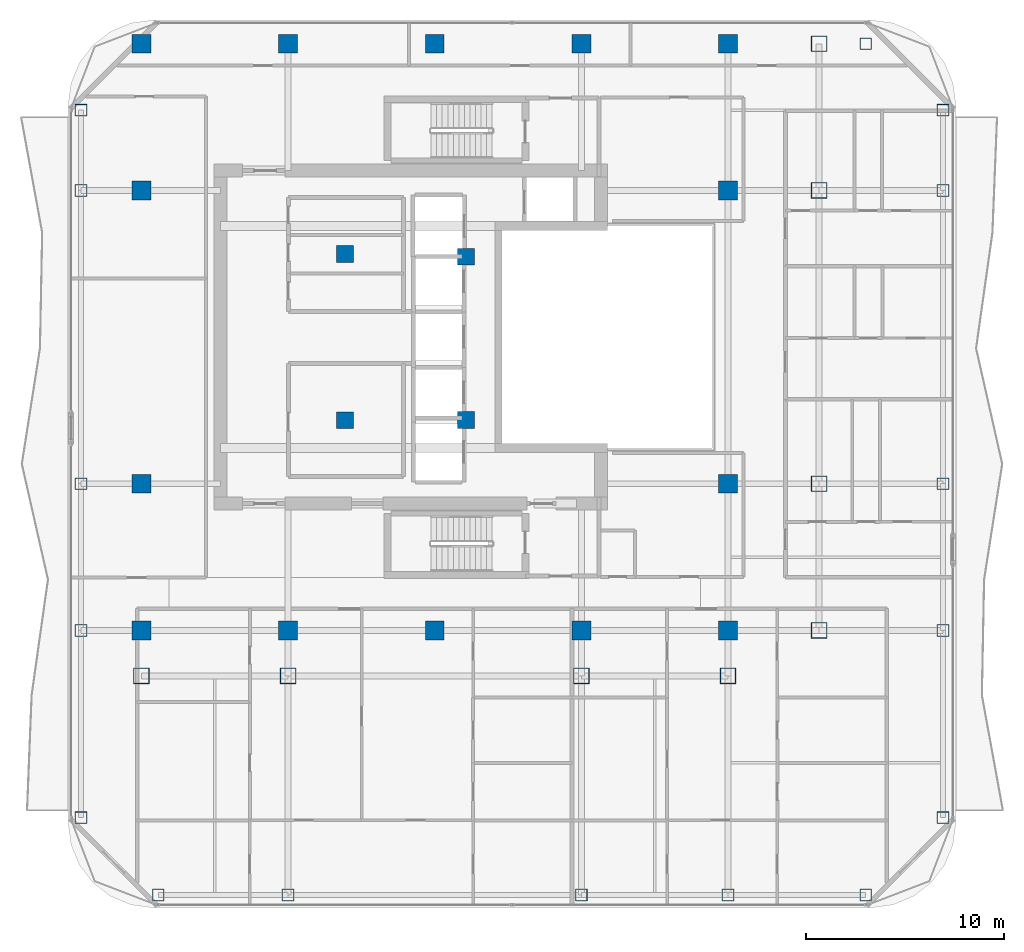
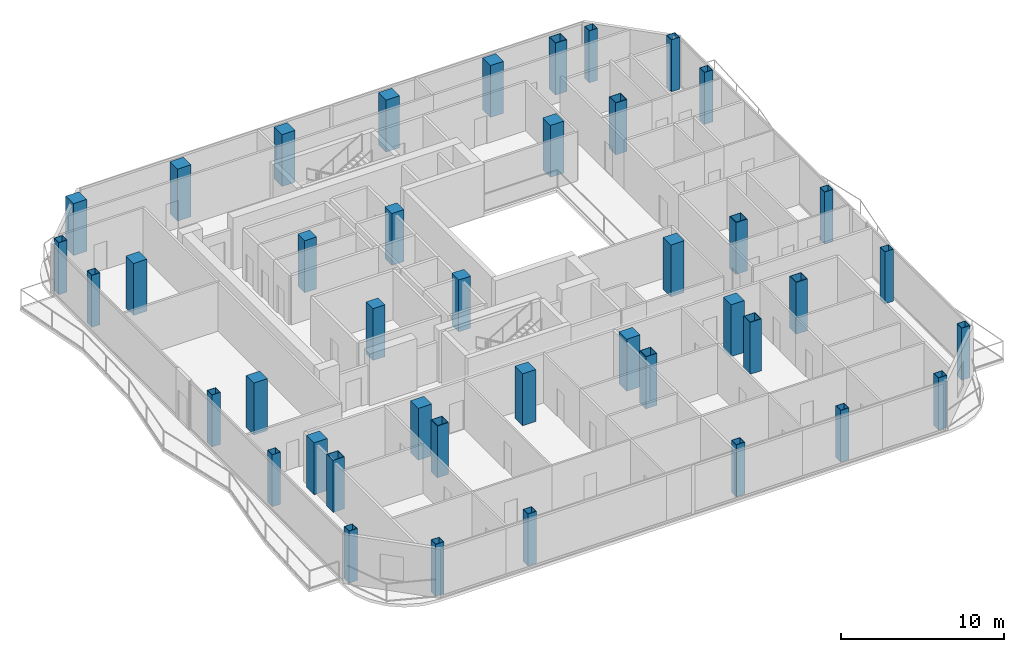
# One storey, part 1 of 27: 42 columns.
"""IFC4 building model written with IfcOpenShell, lengths in metres."""

from ifc_helpers import new_model, si_unit, direction, frame, origin, origin_2d, place, context, subcontext, project, spatial, rectangle, hollow_rectangle, extrude, material, material_profile, profile_set, type_object, element, save


model = new_model("IFC4")

# Units and contexts
model_context = context("Model", 3, precision=1e-05, world=origin(), true_north=direction((0.0, 1.0)))
body_context = subcontext(model_context, "Body", "Model", "MODEL_VIEW")
ifc_project = project(units=[si_unit("LENGTHUNIT", "METRE"), si_unit("AREAUNIT", "SQUARE_METRE"), si_unit("VOLUMEUNIT", "CUBIC_METRE"), si_unit("PLANEANGLEUNIT", "RADIAN"), si_unit("MASSUNIT", "GRAM", prefix="KILO")], contexts=[model_context])

# Site, building, storey
site_placement = place(None, origin())
site = spatial("IfcSite", under=ifc_project, at=site_placement, CompositionType="ELEMENT")
building_placement = place(site_placement, origin())
building = spatial("IfcBuilding", under=site, at=building_placement, Name="Khorvyn Point Tower", CompositionType="ELEMENT")
storey_placement = place(building_placement, frame((0.0, 0.0, 246.89990234375)))
storey = spatial("IfcBuildingStorey", under=building, at=storey_placement, Name="L60", CompositionType="ELEMENT", Elevation=246.89990234375)

# Columns
ifc_material_1 = material(Name="Concrete C40/50", Category="concrete")
ifc_material_profile_1 = material_profile(ifc_material_1, rectangle(XDim=0.85009765625, YDim=0.85009765625, at=origin_2d()))
ifc_profile_set_1 = profile_set([ifc_material_profile_1], Name="Concrete C40/50 RC850x850")
column_type_1 = type_object("IfcColumnType", Name="Concrete C40/50 Column RC850x850", PredefinedType="COLUMN", material=ifc_profile_set_1)
for number, where, z_axis, x_axis, name in (
    (1, (-4.52001953125, -4.199951171875, 0.0), (0.0, 0.0, 1.0), (1.0, 0.0, 0.0), "L60 Crown Core Spine Column 1"),
    (2, (1.580078125, -4.179931640625, 0.0), (0.0, 0.0, 1.0), (1.0, 0.0, 0.0), "L60 Crown Core Spine Column 2"),
    (3, (1.580078125, 4.050048828125, 0.0), (0.0, 0.0, 1.0), (1.0, 0.0, 0.0), "L60 Crown Core Spine Column 3"),
    (4, (-4.52001953125, 4.199951171875, 0.0), (0.0, 0.0, 1.0), (1.0, 0.0, 0.0), "L60 Crown Core Spine Column 4"),
):
    element("IfcColumn", number, at=place(storey_placement, frame(where, z_axis=z_axis, x_axis=x_axis)), inside=storey, type_object=column_type_1, Name=name, PredefinedType="COLUMN", context=body_context, shape_type="SweptSolid", body=[
        extrude(rectangle(XDim=0.85009765625, YDim=0.85009765625, at=origin_2d()), origin(), (0.0, 0.0, 1.0), 3.900146484375),
    ])
ifc_material_profile_2 = material_profile(ifc_material_1, rectangle(XDim=0.949951171875, YDim=0.949951171875, at=origin_2d()))
ifc_profile_set_2 = profile_set([ifc_material_profile_2], Name="Concrete C40/50 RC950x950")
column_type_2 = type_object("IfcColumnType", Name="Concrete C40/50 Column RC950x950", PredefinedType="COLUMN", material=ifc_profile_set_2)
for number, where, z_axis, x_axis, name in (
    (5, (-14.800048828125, -14.800048828125, 0.0), (0.0, 0.0, 1.0), (1.0, 0.0, 0.0), "L60 Mega-Column MC-01"),
    (6, (-7.39990234375, -14.800048828125, 0.0), (0.0, 0.0, 1.0), (1.0, 0.0, 0.0), "L60 Mega-Column MC-02"),
    (7, (0.0, -14.800048828125, 0.0), (0.0, 0.0, 1.0), (1.0, 0.0, 0.0), "L60 Mega-Column MC-03"),
    (8, (7.39990234375, -14.800048828125, 0.0), (0.0, 0.0, 1.0), (1.0, 0.0, 0.0), "L60 Mega-Column MC-04"),
    (9, (14.800048828125, -14.800048828125, 0.0), (0.0, 0.0, 1.0), (1.0, 0.0, 0.0), "L60 Mega-Column MC-05"),
    (10, (-14.800048828125, 14.800048828125, 0.0), (0.0, 0.0, 1.0), (1.0, 0.0, 0.0), "L60 Mega-Column MC-06"),
    (11, (-7.39990234375, 14.800048828125, 0.0), (0.0, 0.0, 1.0), (1.0, 0.0, 0.0), "L60 Mega-Column MC-07"),
    (12, (0.0, 14.800048828125, 0.0), (0.0, 0.0, 1.0), (1.0, 0.0, 0.0), "L60 Mega-Column MC-08"),
    (13, (7.39990234375, 14.800048828125, 0.0), (0.0, 0.0, 1.0), (1.0, 0.0, 0.0), "L60 Mega-Column MC-09"),
    (14, (14.800048828125, 14.800048828125, 0.0), (0.0, 0.0, 1.0), (1.0, 0.0, 0.0), "L60 Mega-Column MC-10"),
    (15, (-14.800048828125, -7.39990234375, 0.0), (0.0, 0.0, 1.0), (1.0, 0.0, 0.0), "L60 Mega-Column MC-11"),
    (16, (-14.800048828125, 7.39990234375, 0.0), (0.0, 0.0, 1.0), (1.0, 0.0, 0.0), "L60 Mega-Column MC-12"),
    (17, (14.800048828125, -7.39990234375, 0.0), (0.0, 0.0, 1.0), (1.0, 0.0, 0.0), "L60 Mega-Column MC-13"),
    (18, (14.800048828125, 7.39990234375, 0.0), (0.0, 0.0, 1.0), (1.0, 0.0, 0.0), "L60 Mega-Column MC-14"),
):
    element("IfcColumn", number, at=place(storey_placement, frame(where, z_axis=z_axis, x_axis=x_axis)), inside=storey, type_object=column_type_2, Name=name, PredefinedType="COLUMN", context=body_context, shape_type="SweptSolid", body=[
        extrude(rectangle(XDim=0.949951171875, YDim=0.949951171875, at=origin_2d()), origin(), (0.0, 0.0, 1.0), 3.900146484375),
    ])
ifc_material_2 = material(Name="Steel S450", Category="steel")
ifc_material_profile_3 = material_profile(ifc_material_2, hollow_rectangle(XDim=0.60009765625, YDim=0.60009765625, WallThickness=0.028076171875, at=origin_2d()))
ifc_profile_set_3 = profile_set([ifc_material_profile_3], Name="Steel S450 BOX600x600x28")
column_type_3 = type_object("IfcColumnType", Name="Steel S450 Structural Column BOX600x600x28", PredefinedType="COLUMN", material=ifc_profile_set_3)
for number, where, z_axis, x_axis, name in (
    (19, (-13.949951171875, -28.14990234375, 0.0), (0.0, 0.0, 1.0), (1.0, 0.0, 0.0), "L60 Perimeter Tube Column TC-01"),
    (20, (21.75, -28.14990234375, 0.0), (0.0, 0.0, 1.0), (1.0, 0.0, 0.0), "L60 Perimeter Tube Column TC-02"),
    (21, (21.75, 14.800048828125, 0.0), (0.0, 0.0, 1.0), (1.0, 0.0, 0.0), "L60 Perimeter Tube Column TC-03"),
    (22, (-17.85009765625, -24.25, 0.0), (0.0, 0.0, 1.0), (1.0, 0.0, 0.0), "L60 Perimeter Tube Column TC-04"),
    (23, (-17.85009765625, 11.449951171875, 0.0), (0.0, 0.0, 1.0), (1.0, 0.0, 0.0), "L60 Perimeter Tube Column TC-05"),
    (24, (25.64990234375, -24.25, 0.0), (0.0, 0.0, 1.0), (1.0, 0.0, 0.0), "L60 Perimeter Tube Column TC-06"),
    (25, (25.64990234375, 11.449951171875, 0.0), (0.0, 0.0, 1.0), (1.0, 0.0, 0.0), "L60 Perimeter Tube Column TC-07"),
    (26, (-7.39990234375, -28.14990234375, 0.0), (0.0, 0.0, 1.0), (1.0, 0.0, 0.0), "L60 Perimeter Tube Column TC-08"),
    (27, (7.39990234375, -28.14990234375, 0.0), (0.0, 0.0, 1.0), (1.0, 0.0, 0.0), "L60 Perimeter Tube Column TC-09"),
    (28, (14.800048828125, -28.14990234375, 0.0), (0.0, 0.0, 1.0), (1.0, 0.0, 0.0), "L60 Perimeter Tube Column TC-10"),
    (29, (-17.85009765625, -14.800048828125, 0.0), (0.0, 0.0, 1.0), (1.0, 0.0, 0.0), "L60 Perimeter Tube Column TC-11"),
    (30, (25.64990234375, -14.800048828125, 0.0), (0.0, 0.0, 1.0), (1.0, 0.0, 0.0), "L60 Perimeter Tube Column TC-12"),
    (31, (-17.85009765625, -7.39990234375, 0.0), (0.0, 0.0, 1.0), (1.0, 0.0, 0.0), "L60 Perimeter Tube Column TC-13"),
    (32, (25.64990234375, -7.39990234375, 0.0), (0.0, 0.0, 1.0), (1.0, 0.0, 0.0), "L60 Perimeter Tube Column TC-14"),
    (33, (-17.85009765625, 7.39990234375, 0.0), (0.0, 0.0, 1.0), (1.0, 0.0, 0.0), "L60 Perimeter Tube Column TC-15"),
    (34, (25.64990234375, 7.39990234375, 0.0), (0.0, 0.0, 1.0), (1.0, 0.0, 0.0), "L60 Perimeter Tube Column TC-16"),
):
    element("IfcColumn", number, at=place(storey_placement, frame(where, z_axis=z_axis, x_axis=x_axis)), inside=storey, type_object=column_type_3, Name=name, PredefinedType="COLUMN", context=body_context, shape_type="SweptSolid", body=[
        extrude(hollow_rectangle(XDim=0.60009765625, YDim=0.60009765625, WallThickness=0.028076171875, at=origin_2d()), origin(), (0.0, 0.0, 1.0), 3.900146484375),
    ])
ifc_material_profile_4 = material_profile(ifc_material_2, hollow_rectangle(XDim=0.800048828125, YDim=0.800048828125, WallThickness=0.035888671875, at=origin_2d()))
ifc_profile_set_4 = profile_set([ifc_material_profile_4], Name="Steel S450 BOX800x800x36")
column_type_4 = type_object("IfcColumnType", Name="Steel S450 Structural Column BOX800x800x36", PredefinedType="COLUMN", material=ifc_profile_set_4)
for number, where, z_axis, x_axis, name in (
    (35, (19.39990234375, -14.800048828125, 0.0), (0.0, 0.0, 1.0), (1.0, 0.0, 0.0), "L60 Intermediate Column ICE--14"),
    (36, (19.39990234375, -7.39990234375, 0.0), (0.0, 0.0, 1.0), (1.0, 0.0, 0.0), "L60 Intermediate Column ICE--7"),
    (37, (19.39990234375, 7.39990234375, 0.0), (0.0, 0.0, 1.0), (1.0, 0.0, 0.0), "L60 Intermediate Column ICE-7"),
    (38, (19.39990234375, 14.800048828125, 0.0), (0.0, 0.0, 1.0), (1.0, 0.0, 0.0), "L60 Intermediate Column ICE-14"),
    (39, (-14.800048828125, -17.10009765625, 0.0), (0.0, 0.0, 1.0), (1.0, 0.0, 0.0), "L60 Intermediate Column ICS--14"),
    (40, (-7.39990234375, -17.10009765625, 0.0), (0.0, 0.0, 1.0), (1.0, 0.0, 0.0), "L60 Intermediate Column ICS--7"),
    (41, (7.39990234375, -17.10009765625, 0.0), (0.0, 0.0, 1.0), (1.0, 0.0, 0.0), "L60 Intermediate Column ICS-7"),
    (42, (14.800048828125, -17.10009765625, 0.0), (0.0, 0.0, 1.0), (1.0, 0.0, 0.0), "L60 Intermediate Column ICS-14"),
):
    element("IfcColumn", number, at=place(storey_placement, frame(where, z_axis=z_axis, x_axis=x_axis)), inside=storey, type_object=column_type_4, Name=name, PredefinedType="COLUMN", context=body_context, shape_type="SweptSolid", body=[
        extrude(hollow_rectangle(XDim=0.800048828125, YDim=0.800048828125, WallThickness=0.035888671875, at=origin_2d()), origin(), (0.0, 0.0, 1.0), 3.900146484375),
    ])

save(model, "model.ifc")
